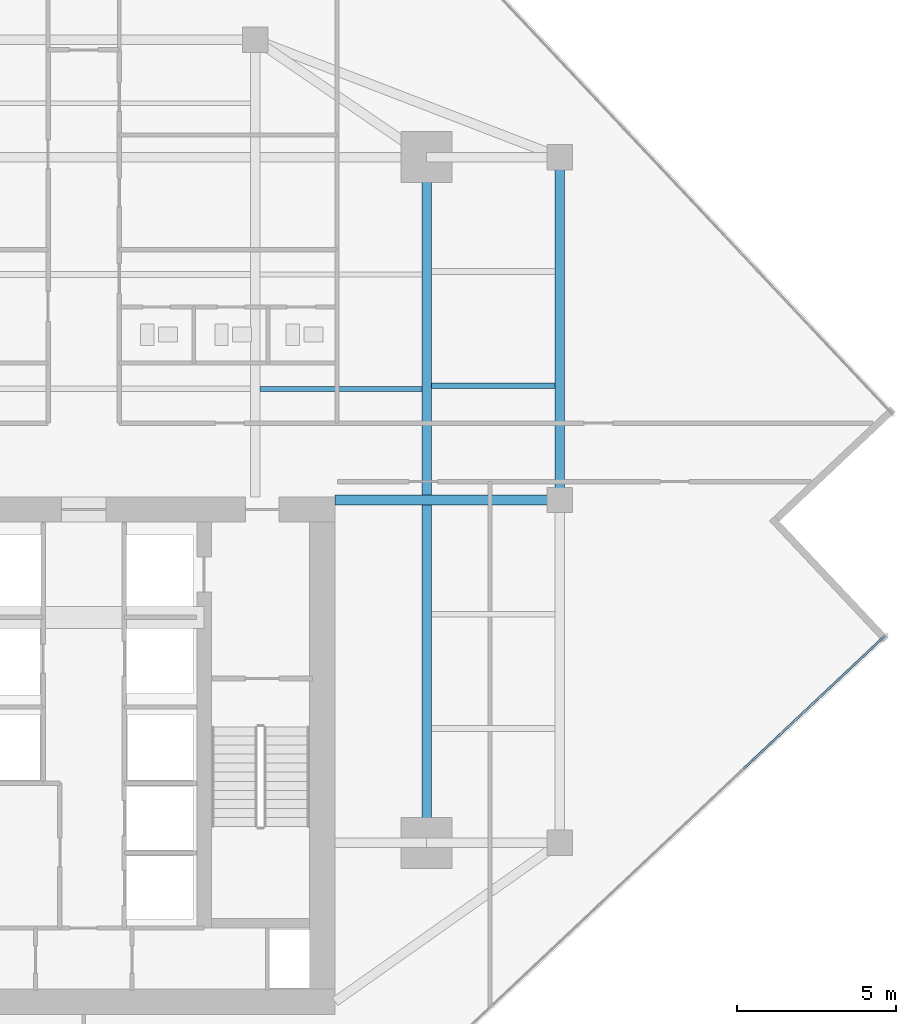
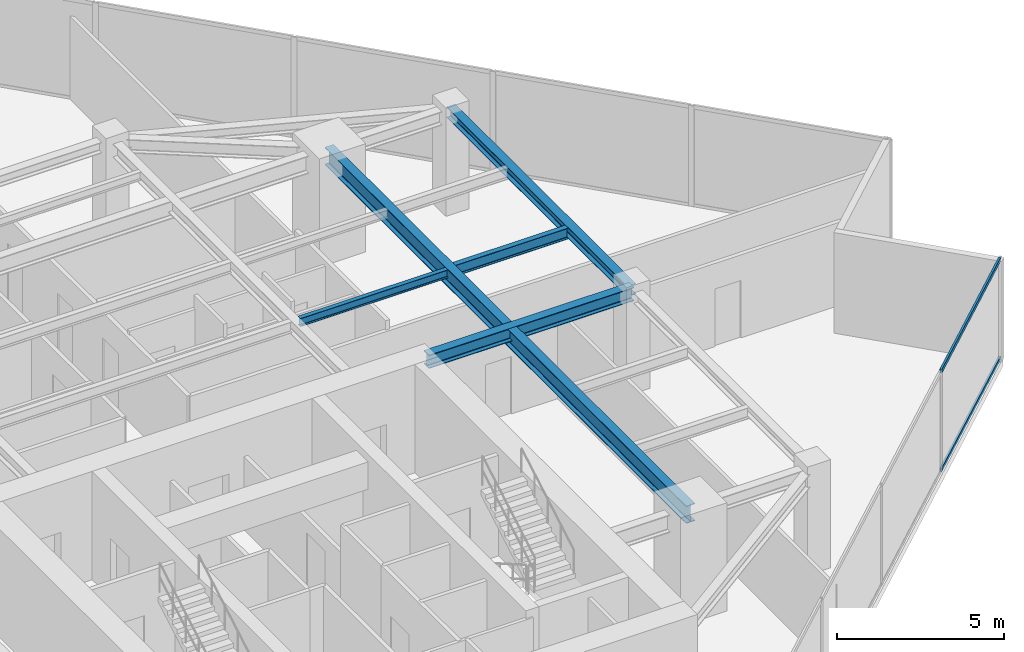
# One storey, part 11 of 25: 5 beams, 2 members, 1 element without a shape of its own.
"""IFC4 building model written with IfcOpenShell, lengths in metres."""

import ifcopenshell
import ifcopenshell.guid

model = None  # the IFC model being written
_history = None  # IfcOwnerHistory: only IFC2X3 demands one
_inside = {}  # id of a spatial element -> (the spatial element, [elements in it])
_under = {}  # id of a project, library or spatial element -> (it, [spatial elements below it])
_declared = {}  # id of a project -> (the project, [libraries it declares])
_typed = {}  # id of a type object -> (the type object, [elements of that type])
_made_of = {}  # id of a material, layer set ... -> (it, [elements and type objects made of it])


def new_model(schema):
    """Start an empty IFC model of exactly this schema.

    Asked for "IFC4X3", IfcOpenShell would pick the latest addendum, in which some entities
    have other attributes; the version numbers below select the first issue.
    IFC2X3 requires an IfcOwnerHistory on every rooted entity: one is made here for all.
    """
    global model, _history
    if schema == "IFC4X3":
        model = ifcopenshell.file(schema_version=(4, 3, 0, 0))
    else:
        model = ifcopenshell.file(schema=schema)
    _inside.clear()
    _under.clear()
    _declared.clear()
    _typed.clear()
    _made_of.clear()
    _history = None
    if model.schema == "IFC2X3":
        org = make("IfcOrganization", Name="unknown")
        user = make(
            "IfcPersonAndOrganization",
            ThePerson=make("IfcPerson", FamilyName="unknown"),
            TheOrganization=org,
        )
        app = make(
            "IfcApplication",
            ApplicationDeveloper=org,
            Version="unknown",
            ApplicationFullName="unknown",
            ApplicationIdentifier="unknown",
        )
        _history = make(
            "IfcOwnerHistory",
            OwningUser=user,
            OwningApplication=app,
            ChangeAction="ADDED",
            CreationDate=0,
        )
    return model


def make(cls, **values):
    """One entity of the class cls with the attributes given. An attribute that is None is left unset."""
    return model.create_entity(
        cls, **{name: value for name, value in values.items() if value is not None}
    )


def rooted(cls, **values):
    """An entity with a GlobalId (a new one), such as an element, a storey or a relation."""
    return make(cls, GlobalId=ifcopenshell.guid.new(), OwnerHistory=_history, **values)


def si_unit(unit_type, name, prefix=None):
    """IfcSIUnit, for example si_unit("LENGTHUNIT", "METRE", prefix="MILLI")."""
    return make("IfcSIUnit", UnitType=unit_type, Prefix=prefix, Name=name)


def assignment(units):
    """IfcUnitAssignment: the units of a project."""
    return None if units is None else make("IfcUnitAssignment", Units=units)


def point(xyz):
    """IfcCartesianPoint."""
    return None if xyz is None else make("IfcCartesianPoint", Coordinates=xyz)


def direction(xyz):
    """IfcDirection."""
    return None if xyz is None else make("IfcDirection", DirectionRatios=xyz)


def frame(location, z_axis=None, x_axis=None):
    """IfcAxis2Placement3D, a coordinate frame: its origin and axes. An axis left out is left unset."""
    return make(
        "IfcAxis2Placement3D",
        Location=point(location),
        Axis=direction(z_axis),
        RefDirection=direction(x_axis),
    )


def frame_2d(location, x_axis=None):
    """IfcAxis2Placement2D, a coordinate frame in the plane: its origin and x axis."""
    return make(
        "IfcAxis2Placement2D", Location=point(location), RefDirection=direction(x_axis)
    )


def origin():
    """The frame at (0, 0, 0) with its axes left unset."""
    return frame((0.0, 0.0, 0.0))


def origin_2d():
    """The frame at (0, 0) in the plane with its x axis left unset."""
    return frame_2d((0.0, 0.0))


def place(relative_to, where):
    """IfcLocalPlacement: puts the frame where relative to a parent placement (None: the world)."""
    return make(
        "IfcLocalPlacement", PlacementRelTo=relative_to, RelativePlacement=where
    )


def context(
    kind, dimensions, precision=None, world=None, true_north=None, identifier=None
):
    """IfcGeometricRepresentationContext, for example the 3D "Model" context."""
    return make(
        "IfcGeometricRepresentationContext",
        ContextIdentifier=identifier,
        ContextType=kind,
        CoordinateSpaceDimension=dimensions,
        Precision=precision,
        WorldCoordinateSystem=world,
        TrueNorth=true_north,
    )


def subcontext(parent, identifier, kind, view, scale=None):
    """IfcGeometricRepresentationSubContext, for example "Body" below "Model"."""
    return make(
        "IfcGeometricRepresentationSubContext",
        ContextIdentifier=identifier,
        ContextType=kind,
        ParentContext=parent,
        TargetScale=scale,
        TargetView=view,
    )


def project(units=None, contexts=None):
    """IfcProject with its units and contexts."""
    return rooted(
        "IfcProject",
        Name="project",
        RepresentationContexts=contexts,
        UnitsInContext=assignment(units),
    )


def spatial(cls, under=None, at=None, **own):
    """A site, building, storey or space (cls), placed at a placement, below another one or the project."""
    s = rooted(cls, ObjectPlacement=at, **own)
    if under is not None:
        _under.setdefault(under.id(), (under, []))[1].append(s)
    return s


def profile(cls, at=None, kind="AREA", **sizes):
    """A parametric profile (cls). Its sizes go by their IFC names, for example OverallWidth=200.0."""
    return make(cls, ProfileType=kind, Position=at, **sizes)


def hollow_rectangle(**sizes):
    """IfcRectangleHollowProfileDef."""
    return profile("IfcRectangleHollowProfileDef", **sizes)


def i_section(**sizes):
    """IfcIShapeProfileDef."""
    return profile("IfcIShapeProfileDef", **sizes)


def extrude(swept, where, along, depth):
    """IfcExtrudedAreaSolid: the profile swept, set in the frame where, extruded along a direction by depth."""
    return make(
        "IfcExtrudedAreaSolid",
        SweptArea=swept,
        Position=where,
        ExtrudedDirection=direction(along),
        Depth=depth,
    )


def shape(context_of_items, identifier, shape_type, items):
    """IfcShapeRepresentation: the items that make up one representation, for example the "Body"."""
    return make(
        "IfcShapeRepresentation",
        ContextOfItems=context_of_items,
        RepresentationIdentifier=identifier,
        RepresentationType=shape_type,
        Items=items,
    )


def source(mapping_origin, context_of_items, identifier, shape_type, items):
    """IfcRepresentationMap: a shape defined once, which mapped items show again and again."""
    return make(
        "IfcRepresentationMap",
        MappingOrigin=mapping_origin,
        MappedRepresentation=shape(context_of_items, identifier, shape_type, items),
    )


def transform(
    local_origin,
    x_axis=None,
    y_axis=None,
    z_axis=None,
    scale=None,
    scale2=None,
    scale3=None,
    uniform=True,
):
    """IfcCartesianTransformationOperator3D, or its non-uniform kind. x_axis, y_axis, z_axis: its Axis1, 2, 3."""
    if uniform:
        return make(
            "IfcCartesianTransformationOperator3D",
            Axis1=direction(x_axis),
            Axis2=direction(y_axis),
            LocalOrigin=point(local_origin),
            Scale=scale,
            Axis3=direction(z_axis),
        )
    return make(
        "IfcCartesianTransformationOperator3DnonUniform",
        Axis1=direction(x_axis),
        Axis2=direction(y_axis),
        LocalOrigin=point(local_origin),
        Scale=scale,
        Axis3=direction(z_axis),
        Scale2=scale2,
        Scale3=scale3,
    )


def mapped(mapping_source, mapping_target):
    """IfcMappedItem: shows the shape of a source again, moved by a transform."""
    return make(
        "IfcMappedItem", MappingSource=mapping_source, MappingTarget=mapping_target
    )


def material(Name=None, Category=None):
    """IfcMaterial."""
    return make("IfcMaterial", Name=Name, Category=Category)


def material_profile(
    of_material, cross_section, Name=None, Category=None, Priority=None
):
    """IfcMaterialProfile: a cross section and its material."""
    return make(
        "IfcMaterialProfile",
        Name=Name,
        Material=of_material,
        Profile=cross_section,
        Priority=Priority,
        Category=Category,
    )


def profile_set(profiles, Name=None, composite=None):
    """IfcMaterialProfileSet."""
    return make(
        "IfcMaterialProfileSet",
        Name=Name,
        MaterialProfiles=profiles,
        CompositeProfile=composite,
    )


def made_of(thing, what):
    """Note that an element or type object is made of a material, layer set ...; save() writes the relation."""
    if what is not None:
        _made_of.setdefault(what.id(), (what, []))[1].append(thing)
    return thing


def type_object(cls, material=None, **own):
    """A type object (cls), such as IfcWallType, which elements share."""
    return made_of(rooted(cls, **own), material)


def type_shapes(of_type, sources):
    """Give a type object the sources (RepresentationMaps) that its elements show as mapped items."""
    of_type.RepresentationMaps = sources


def element(
    cls,
    number,
    at=None,
    inside=None,
    cuts=None,
    type_object=None,
    material=None,
    context=None,
    identifier="Body",
    shape_type=None,
    held_by="IfcProductDefinitionShape",
    body=None,
    shapes=None,
    **own,
):
    """One element of the class cls, such as IfcWall. Its Tag is "e" and its number.

    at: its placement. inside: the storey or other place that contains it. cuts: it is an
    opening in that element (IfcRelVoidsElement). A single representation is given by context,
    identifier, shape_type and body (its items); several are given by shapes. held_by: the class
    of the entity that holds the representations. save() writes the other relations.
    """
    e = rooted(cls, Tag="e%d" % number, ObjectPlacement=at, **own)
    if body is not None:
        shapes = [shape(context, identifier, shape_type, body)]
    if shapes is not None:
        e.Representation = make(held_by, Representations=shapes)
    if inside is not None:
        _inside.setdefault(inside.id(), (inside, []))[1].append(e)
    if cuts is not None:
        rooted(
            "IfcRelVoidsElement", RelatingBuildingElement=cuts, RelatedOpeningElement=e
        )
    if type_object is not None:
        _typed.setdefault(type_object.id(), (type_object, []))[1].append(e)
    return made_of(e, material)


def aggregate(whole, parts):
    """IfcRelAggregates: a whole, such as a stair, and the parts it consists of."""
    return rooted("IfcRelAggregates", RelatingObject=whole, RelatedObjects=parts)


def save(model, path):
    """Write the relations noted so far, then the file.

    IfcRelAggregates (storeys below a building ...), IfcRelContainedInSpatialStructure (elements
    in a storey), IfcRelDefinesByType, IfcRelAssociatesMaterial and IfcRelDeclares: one each for
    every whole, place, type object, material and project.
    """
    for whole, parts in _under.values():
        aggregate(whole, parts)
    for where, things in _inside.values():
        rooted(
            "IfcRelContainedInSpatialStructure",
            RelatedElements=things,
            RelatingStructure=where,
        )
    for kind, things in _typed.values():
        rooted("IfcRelDefinesByType", RelatedObjects=things, RelatingType=kind)
    for what, things in _made_of.values():
        rooted("IfcRelAssociatesMaterial", RelatedObjects=things, RelatingMaterial=what)
    for by, libraries in _declared.values():
        rooted("IfcRelDeclares", RelatingContext=by, RelatedDefinitions=libraries)
    model.write(path)


model = new_model("IFC4")

# Units and contexts
model_context = context("Model", 3, precision=1e-05, world=origin(), true_north=direction((0.0, 1.0)))
body_context = subcontext(model_context, "Body", "Model", "MODEL_VIEW")
ifc_project = project(units=[si_unit("LENGTHUNIT", "METRE"), si_unit("AREAUNIT", "SQUARE_METRE"), si_unit("VOLUMEUNIT", "CUBIC_METRE"), si_unit("PLANEANGLEUNIT", "RADIAN"), si_unit("MASSUNIT", "GRAM", prefix="KILO")], contexts=[model_context])

# Site, building, storey
site_placement = place(None, origin())
site = spatial("IfcSite", under=ifc_project, at=site_placement, CompositionType="ELEMENT")
building_placement = place(site_placement, origin())
building = spatial("IfcBuilding", under=site, at=building_placement, Name="Krantzveldt Concourse Tower", CompositionType="ELEMENT")
storey_placement = place(building_placement, frame((0.0, 0.0, 238.89990234375)))
storey = spatial("IfcBuildingStorey", under=building, at=storey_placement, Name="L58", CompositionType="ELEMENT", Elevation=238.89990234375)

# Beams
ifc_material_1 = material(Name="Steel S355JR", Category="steel")
ifc_material_profile_1 = material_profile(ifc_material_1, i_section(OverallWidth=0.300048828125, OverallDepth=0.639892578125, WebThickness=0.013427734375, FlangeThickness=0.02587890625, FilletRadius=0.027099609375, at=origin_2d()), Name="Steel S355JR", Category="steel")
ifc_profile_set_1 = profile_set([ifc_material_profile_1], Name="Steel S355JR - HEA 650")
beam_type_1 = type_object("IfcBeamType", Name="BM-B-HEA650", PredefinedType="BEAM", material=ifc_profile_set_1)
shared_shape_1 = source(origin(), body_context, "Body", "SweptSolid", [
    extrude(i_section(OverallWidth=0.300048828125, OverallDepth=0.639892578125, WebThickness=0.013427734375, FlangeThickness=0.02587890625, FilletRadius=0.027099609375, at=origin_2d()), origin(), (0.0, 0.0, 1.0), 21.60009765625),
])
type_shapes(beam_type_1, [shared_shape_1])
beam_1_placement = place(storey_placement, frame((46.800048828125, 15.89990234375, 3.35009765625), z_axis=(0.0, 1.0, 0.0), x_axis=(-1.0, 0.0, 0.0)))
element("IfcBeam", 1, at=beam_1_placement, inside=storey, type_object=beam_type_1, Name="L58 Tower Girder BG-ME", PredefinedType="BEAM", context=body_context, shape_type="MappedRepresentation", body=[
    mapped(shared_shape_1, transform((0.0, 0.0, 0.0), x_axis=(1.0, 0.0, 0.0), y_axis=(0.0, 1.0, 0.0), z_axis=(0.0, 0.0, 1.0), scale=1.0)),
])
ifc_material_profile_2 = material_profile(ifc_material_1, i_section(OverallWidth=0.300048828125, OverallDepth=0.389892578125, WebThickness=0.010986328125, FlangeThickness=0.01904296875, FilletRadius=0.027099609375, at=origin_2d()), Name="Steel S355JR", Category="steel")
ifc_profile_set_2 = profile_set([ifc_material_profile_2], Name="Steel S355JR - HEA 400")
beam_type_2 = type_object("IfcBeamType", Name="BM-SP-HEA400", PredefinedType="SPANDREL", material=ifc_profile_set_2)
shared_shape_2 = source(origin(), body_context, "Body", "SweptSolid", [
    extrude(i_section(OverallWidth=0.300048828125, OverallDepth=0.389892578125, WebThickness=0.010986328125, FlangeThickness=0.01904296875, FilletRadius=0.027099609375, at=origin_2d()), origin(), (0.0, 0.0, 1.0), 10.800048828125),
])
type_shapes(beam_type_2, [shared_shape_2])
beam_2_placement = place(storey_placement, frame((51.0, 37.5, 3.47509765625), z_axis=(0.0, -1.0, 0.0), x_axis=(1.0, 0.0, 0.0)))
element("IfcBeam", 2, at=beam_2_placement, inside=storey, type_object=beam_type_2, Name="L58 Tower Girder SP-R06", PredefinedType="SPANDREL", context=body_context, shape_type="MappedRepresentation", body=[
    mapped(shared_shape_2, transform((0.0, 0.0, 0.0), x_axis=(1.0, 0.0, 0.0), y_axis=(0.0, 1.0, 0.0), z_axis=(0.0, 0.0, 1.0), scale=1.0)),
])
ifc_material_profile_3 = material_profile(ifc_material_1, i_section(OverallWidth=0.300048828125, OverallDepth=0.489990234375, WebThickness=0.011962890625, FlangeThickness=0.02294921875, FilletRadius=0.027099609375, at=origin_2d()), Name="Steel S355JR", Category="steel")
ifc_profile_set_3 = profile_set([ifc_material_profile_3], Name="Steel S355JR - HEA 500")
beam_type_3 = type_object("IfcBeamType", Name="BM-B-HEA500", PredefinedType="BEAM", material=ifc_profile_set_3)
shared_shape_3 = source(origin(), body_context, "Body", "SweptSolid", [
    extrude(i_section(OverallWidth=0.300048828125, OverallDepth=0.489990234375, WebThickness=0.011962890625, FlangeThickness=0.02294921875, FilletRadius=0.027099609375, at=origin_2d()), origin(), (0.0, 0.0, 1.0), 7.080078125),
])
type_shapes(beam_type_3, [shared_shape_3])
beam_3_placement = place(storey_placement, frame((43.919921875, 26.699951171875, 3.425048828125), z_axis=(1.0, 0.0, 0.0), x_axis=(0.0, 1.0, 0.0)))
element("IfcBeam", 3, at=beam_3_placement, inside=storey, type_object=beam_type_3, Name="L58 Tower Girder BG-CE2", PredefinedType="BEAM", context=body_context, shape_type="MappedRepresentation", body=[
    mapped(shared_shape_3, transform((0.0, 0.0, 0.0), x_axis=(1.0, 0.0, 0.0), y_axis=(0.0, 1.0, 0.0), z_axis=(0.0, 0.0, 1.0), scale=1.0)),
])
ifc_material_profile_4 = material_profile(ifc_material_1, i_section(OverallWidth=0.14990234375, OverallDepth=0.300048828125, WebThickness=0.007080078125, FlangeThickness=0.0107421875, FilletRadius=0.014892578125, at=origin_2d()), Name="Steel S355JR", Category="steel")
ifc_profile_set_4 = profile_set([ifc_material_profile_4], Name="Steel S355JR - IPE 300")
beam_type_4 = type_object("IfcBeamType", Name="BM-J-IPE300", PredefinedType="JOIST", material=ifc_profile_set_4)
shared_shape_4 = source(origin(), body_context, "Body", "SweptSolid", [
    extrude(i_section(OverallWidth=0.14990234375, OverallDepth=0.300048828125, WebThickness=0.007080078125, FlangeThickness=0.0107421875, FilletRadius=0.014892578125, at=origin_2d()), origin(), (0.0, 0.0, 1.0), 5.099853515625),
])
type_shapes(beam_type_4, [shared_shape_4])
beam_4_placement = place(storey_placement, frame((41.550048828125, 30.199951171875, 3.52001953125), z_axis=(1.0, 0.0, 0.0), x_axis=(0.0, 1.0, 0.0)))
element("IfcBeam", 4, at=beam_4_placement, inside=storey, type_object=beam_type_4, Name="L58 Secondary Floor Joist JN-E1", PredefinedType="JOIST", context=body_context, shape_type="MappedRepresentation", body=[
    mapped(shared_shape_4, transform((0.0, 0.0, 0.0), x_axis=(1.0, 0.0, 0.0), y_axis=(0.0, 1.0, 0.0), z_axis=(0.0, 0.0, 1.0), scale=1.0)),
])
ifc_material_profile_5 = material_profile(ifc_material_1, i_section(OverallWidth=0.179931640625, OverallDepth=0.39990234375, WebThickness=0.008544921875, FlangeThickness=0.013427734375, FilletRadius=0.02099609375, at=origin_2d()), Name="Steel S355JR", Category="steel")
ifc_profile_set_5 = profile_set([ifc_material_profile_5], Name="Steel S355JR - IPE 400")
beam_type_5 = type_object("IfcBeamType", Name="BM-J-IPE400", PredefinedType="JOIST", material=ifc_profile_set_5)
shared_shape_5 = source(origin(), body_context, "Body", "SweptSolid", [
    extrude(i_section(OverallWidth=0.179931640625, OverallDepth=0.39990234375, WebThickness=0.008544921875, FlangeThickness=0.013427734375, FilletRadius=0.02099609375, at=origin_2d()), origin(), (0.0, 0.0, 1.0), 3.900146484375),
])
type_shapes(beam_type_5, [shared_shape_5])
beam_5_placement = place(storey_placement, frame((46.949951171875, 30.300048828125, 3.47021484375), z_axis=(1.0, 0.0, 0.0), x_axis=(0.0, 1.0, 0.0)))
element("IfcBeam", 5, at=beam_5_placement, inside=storey, type_object=beam_type_5, Name="L58 Secondary Floor Joist JE-3", PredefinedType="JOIST", context=body_context, shape_type="MappedRepresentation", body=[
    mapped(shared_shape_5, transform((0.0, 0.0, 0.0), x_axis=(1.0, 0.0, 0.0), y_axis=(0.0, 1.0, 0.0), z_axis=(0.0, 0.0, 1.0), scale=1.0)),
])

# Curtain wall, members
ifc_material_2 = material(Name="Anodised aluminium 6063-T6", Category="aluminium")
curtain_wall_type = type_object("IfcCurtainWallType", Name="CW3", PredefinedType="USERDEFINED", material=ifc_material_2)
curtain_wall_placement = place(storey_placement, origin())
curtain_wall = element("IfcCurtainWall", 6, at=curtain_wall_placement, inside=storey, type_object=curtain_wall_type, Name="CW-L58-F11", ObjectType="UNITISED CURTAIN WALL", PredefinedType="USERDEFINED")
ifc_material_profile_6 = material_profile(ifc_material_2, hollow_rectangle(XDim=0.070068359375, YDim=0.139892578125, WallThickness=0.0048828125, at=origin_2d()), Name="Anodised aluminium 6063-T6", Category="aluminium")
ifc_profile_set_6 = profile_set([ifc_material_profile_6], Name="Anodised aluminium 6063-T6 - ALU-TRAN 140x70x5")
member_type = type_object("IfcMemberType", Name="CW-TRN-150", PredefinedType="USERDEFINED", material=ifc_profile_set_6)
shared_shape_6 = source(origin(), body_context, "Body", "SweptSolid", [
    extrude(hollow_rectangle(XDim=0.070068359375, YDim=0.139892578125, WallThickness=0.0048828125, at=origin_2d()), origin(), (0.0, 0.0, 1.0), 6.094970703125),
])
type_shapes(member_type, [shared_shape_6])
member_1_placement = place(storey_placement, frame((56.783935546875, 18.230224609375, 0.03515625), z_axis=(0.728386944809, 0.685166008082, 0.0), x_axis=(-0.685166008082, 0.728386944809, 0.0)))
member_1 = element("IfcMember", 7, at=member_1_placement, type_object=member_type, Name="CW-Z34 transom 5.1", ObjectType="TRANSOM", PredefinedType="USERDEFINED", context=body_context, shape_type="MappedRepresentation", body=[
    mapped(shared_shape_6, transform((0.0, 0.0, 0.0), x_axis=(1.0, 0.0, 0.0), y_axis=(0.0, 1.0, 0.0), z_axis=(0.0, 0.0, 1.0), scale=1.0)),
])
member_2_placement = place(storey_placement, frame((56.783935546875, 18.230224609375, 3.635009765625), z_axis=(0.728386944809, 0.685166008082, 0.0), x_axis=(-0.685166008082, 0.728386944809, 0.0)))
member_2 = element("IfcMember", 8, at=member_2_placement, type_object=member_type, Name="CW-Z34 transom 5.2", ObjectType="TRANSOM", PredefinedType="USERDEFINED", context=body_context, shape_type="MappedRepresentation", body=[
    mapped(shared_shape_6, transform((0.0, 0.0, 0.0), x_axis=(1.0, 0.0, 0.0), y_axis=(0.0, 1.0, 0.0), z_axis=(0.0, 0.0, 1.0), scale=1.0)),
])
aggregate(curtain_wall, [member_1, member_2])

save(model, "model.ifc")
